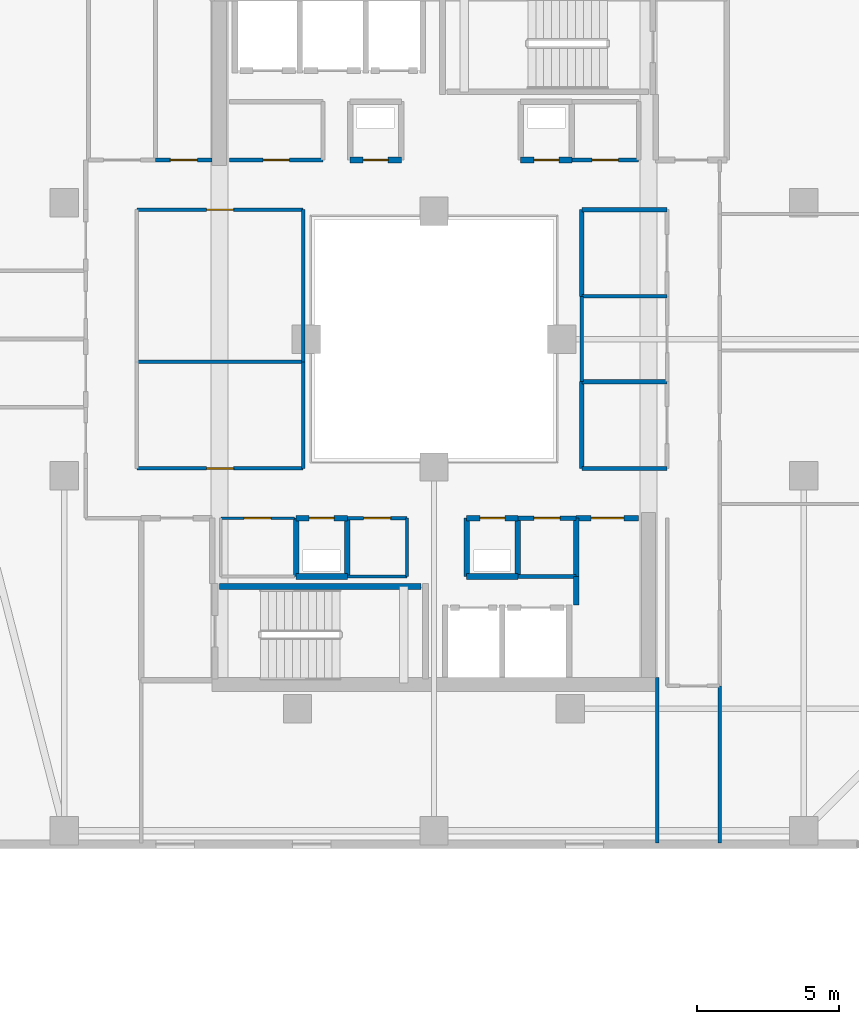
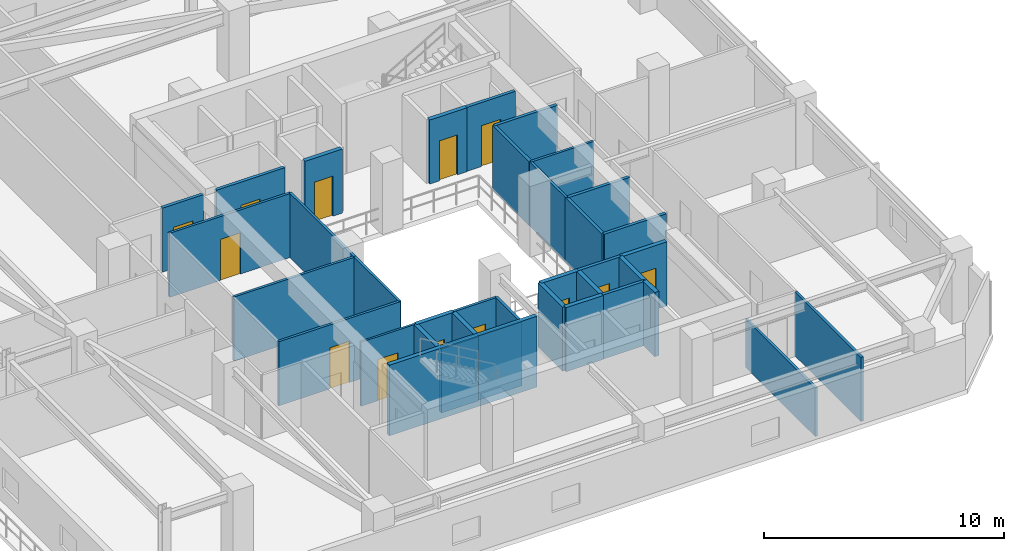
# One storey, part 20 of 33: 37 walls, 13 doors, 13 openings.
"""IFC4 building model written with IfcOpenShell, lengths in metres."""

from ifc_helpers import new_model, si_unit, direction, frame, frame_2d, origin, place, context, subcontext, project, spatial, rectangle, extrude, material, layer, layer_set, type_object, element, fill, save


model = new_model("IFC4")

# Units and contexts
model_context = context("Model", 3, precision=1e-05, world=origin(), true_north=direction((0.0, 1.0)))
body_context = subcontext(model_context, "Body", "Model", "MODEL_VIEW")
ifc_project = project(units=[si_unit("LENGTHUNIT", "METRE"), si_unit("AREAUNIT", "SQUARE_METRE"), si_unit("VOLUMEUNIT", "CUBIC_METRE"), si_unit("PLANEANGLEUNIT", "RADIAN"), si_unit("MASSUNIT", "GRAM", prefix="KILO")], contexts=[model_context])

# Site, building, storey
site_placement = place(None, origin())
site = spatial("IfcSite", under=ifc_project, at=site_placement, CompositionType="ELEMENT")
building_placement = place(site_placement, origin())
building = spatial("IfcBuilding", under=site, at=building_placement, Name="Thornwick Lancets Civic Towers", CompositionType="ELEMENT")
storey_placement = place(building_placement, frame((0.0, 0.0, 218.10009765625)))
storey = spatial("IfcBuildingStorey", under=building, at=storey_placement, Name="L58", CompositionType="ELEMENT", Elevation=218.10009765625)

# Walls
ifc_material_1 = material(Name="Concrete blockwork C40/50", Category="masonry")
ifc_layer_1 = layer(ifc_material_1, 0.199951171875, Name="Concrete blockwork C40/50")
ifc_layer_set_1 = layer_set([ifc_layer_1], Name="Concrete blockwork C40/50")
wall_type_1 = type_object("IfcWallType", Name="WALL_COMP_200", PredefinedType="STANDARD", material=ifc_layer_set_1)
wall_1_placement = place(storey_placement, frame((26.64990234375, 18.64990234375, 0.0), z_axis=(0.0, 0.0, 1.0), x_axis=(1.0, 0.0, 0.0)))
element("IfcWall", 1, at=wall_1_placement, inside=storey, type_object=wall_type_1, Name="L58 Partition L58-A-DUCT1 E1", PredefinedType="STANDARD", context=body_context, shape_type="SweptSolid", body=[
    extrude(rectangle(XDim=1.800048828125, YDim=0.199951171875, at=frame_2d((0.89990234375, 0.0))), origin(), (0.0, 0.0, 1.0), 3.260009765625),
])
wall_2_placement = place(storey_placement, frame((28.449951171875, 18.64990234375, 0.0), z_axis=(0.0, 0.0, 1.0), x_axis=(0.0, 1.0, 0.0)))
element("IfcWall", 2, at=wall_2_placement, inside=storey, type_object=wall_type_1, Name="L58 Partition L58-A-DUCT1 E2", PredefinedType="STANDARD", context=body_context, shape_type="SweptSolid", body=[
    extrude(rectangle(XDim=2.050048828125, YDim=0.199951171875, at=frame_2d((1.02490234375, 0.0))), origin(), (0.0, 0.0, 1.0), 3.260009765625),
])

# Wall, opening, door
wall_3_placement = place(storey_placement, frame((28.449951171875, 20.699951171875, 0.0), z_axis=(0.0, 0.0, 1.0), x_axis=(-1.0, 0.0, 0.0)))
wall_3 = element("IfcWall", 3, at=wall_3_placement, inside=storey, type_object=wall_type_1, Name="L58 Partition L58-A-DUCT1 E3", PredefinedType="STANDARD", context=body_context, shape_type="SweptSolid", body=[
    extrude(rectangle(XDim=1.800048828125, YDim=0.199951171875, at=frame_2d((0.89990234375, 0.0))), origin(), (0.0, 0.0, 1.0), 3.260009765625),
])
opening_1_placement = place(wall_3_placement, frame((0.4599609375, 0.0, 0.0)))
opening_1 = element("IfcOpeningElement", 4, at=opening_1_placement, cuts=wall_3, Name="Opening D-L58-2581", PredefinedType="OPENING", context=body_context, shape_type="SweptSolid", body=[
    extrude(rectangle(XDim=0.8798828125, YDim=2.0400390625, at=frame_2d((0.43994140625, 1.02001953125))), frame((0.0, 0.10986328125, 0.0), z_axis=(0.0, -1.0, 0.0), x_axis=(1.0, 0.0, 0.0)), (0.0, 0.0, 1.0), 0.219970703125),
])
ifc_material_2 = material(Name="Steel riser access doorset", Category="steel")
door_type_1 = type_object("IfcDoorType", Name="DOOR_RISER_850", OperationType="NOTDEFINED", PredefinedType="DOOR", material=ifc_material_2)
door_1_placement = place(opening_1_placement, origin())
door_1 = element("IfcDoor", 5, at=door_1_placement, inside=storey, type_object=door_type_1, Name="L58 South Service Duct 1 Door", OperationType="SINGLE_SWING_RIGHT", OverallHeight=2.0400390625, OverallWidth=0.8798828125, PredefinedType="DOOR", context=body_context, shape_type="SweptSolid", body=[
    extrude(rectangle(XDim=0.8798828125, YDim=2.0400390625, at=frame_2d((0.43994140625, 1.02001953125))), frame((0.0, 0.02490234375, 0.0), z_axis=(0.0, -1.0, 0.0), x_axis=(1.0, 0.0, 0.0)), (0.0, 0.0, 1.0), 0.050048828125),
])
fill(opening_1, door_1)

# Walls
wall_4_placement = place(storey_placement, frame((26.64990234375, 20.699951171875, 0.0), z_axis=(0.0, 0.0, 1.0), x_axis=(0.0, -1.0, 0.0)))
element("IfcWall", 6, at=wall_4_placement, inside=storey, type_object=wall_type_1, Name="L58 Partition L58-A-DUCT1 E4", PredefinedType="STANDARD", context=body_context, shape_type="SweptSolid", body=[
    extrude(rectangle(XDim=2.050048828125, YDim=0.199951171875, at=frame_2d((1.02490234375, 0.0))), origin(), (0.0, 0.0, 1.0), 3.260009765625),
])
wall_5_placement = place(storey_placement, frame((20.64990234375, 18.64990234375, 0.0), z_axis=(0.0, 0.0, 1.0), x_axis=(1.0, 0.0, 0.0)))
element("IfcWall", 7, at=wall_5_placement, inside=storey, type_object=wall_type_1, Name="L58 Partition L58-A-RISER1 E1", PredefinedType="STANDARD", context=body_context, shape_type="SweptSolid", body=[
    extrude(rectangle(XDim=1.800048828125, YDim=0.199951171875, at=frame_2d((0.89990234375, 0.0))), origin(), (0.0, 0.0, 1.0), 3.260009765625),
])
wall_6_placement = place(storey_placement, frame((22.449951171875, 18.64990234375, 0.0), z_axis=(0.0, 0.0, 1.0), x_axis=(0.0, 1.0, 0.0)))
element("IfcWall", 8, at=wall_6_placement, inside=storey, type_object=wall_type_1, Name="L58 Partition L58-A-RISER1 E2", PredefinedType="STANDARD", context=body_context, shape_type="SweptSolid", body=[
    extrude(rectangle(XDim=2.050048828125, YDim=0.199951171875, at=frame_2d((1.02490234375, 0.0))), origin(), (0.0, 0.0, 1.0), 3.260009765625),
])

# Wall, opening, door
wall_7_placement = place(storey_placement, frame((22.449951171875, 20.699951171875, 0.0), z_axis=(0.0, 0.0, 1.0), x_axis=(-1.0, 0.0, 0.0)))
wall_7 = element("IfcWall", 9, at=wall_7_placement, inside=storey, type_object=wall_type_1, Name="L58 Partition L58-A-RISER1 E3", PredefinedType="STANDARD", context=body_context, shape_type="SweptSolid", body=[
    extrude(rectangle(XDim=1.800048828125, YDim=0.199951171875, at=frame_2d((0.89990234375, 0.0))), origin(), (0.0, 0.0, 1.0), 3.260009765625),
])
opening_2_placement = place(wall_7_placement, frame((0.4599609375, 0.0, 0.0)))
opening_2 = element("IfcOpeningElement", 10, at=opening_2_placement, cuts=wall_7, Name="Opening D-L58-2582", PredefinedType="OPENING", context=body_context, shape_type="SweptSolid", body=[
    extrude(rectangle(XDim=0.8798828125, YDim=2.0400390625, at=frame_2d((0.43994140625, 1.02001953125))), frame((0.0, 0.10986328125, 0.0), z_axis=(0.0, -1.0, 0.0), x_axis=(1.0, 0.0, 0.0)), (0.0, 0.0, 1.0), 0.219970703125),
])
door_2_placement = place(opening_2_placement, origin())
door_2 = element("IfcDoor", 11, at=door_2_placement, inside=storey, type_object=door_type_1, Name="L58 South Electrical Riser 1 Door", OperationType="SINGLE_SWING_LEFT", OverallHeight=2.0400390625, OverallWidth=0.8798828125, PredefinedType="DOOR", context=body_context, shape_type="SweptSolid", body=[
    extrude(rectangle(XDim=0.8798828125, YDim=2.0400390625, at=frame_2d((0.43994140625, 1.02001953125))), frame((0.0, 0.02490234375, 0.0), z_axis=(0.0, -1.0, 0.0), x_axis=(1.0, 0.0, 0.0)), (0.0, 0.0, 1.0), 0.050048828125),
])
fill(opening_2, door_2)

# Wall
wall_8_placement = place(storey_placement, frame((20.64990234375, 20.699951171875, 0.0), z_axis=(0.0, 0.0, 1.0), x_axis=(0.0, -1.0, 0.0)))
element("IfcWall", 12, at=wall_8_placement, inside=storey, type_object=wall_type_1, Name="L58 Partition L58-A-RISER1 E4", PredefinedType="STANDARD", context=body_context, shape_type="SweptSolid", body=[
    extrude(rectangle(XDim=2.050048828125, YDim=0.199951171875, at=frame_2d((1.02490234375, 0.0))), origin(), (0.0, 0.0, 1.0), 3.260009765625),
])

# Wall, opening, door
wall_9_placement = place(storey_placement, frame((22.550048828125, 33.300048828125, 0.0), z_axis=(0.0, 0.0, 1.0), x_axis=(1.0, 0.0, 0.0)))
wall_9 = element("IfcWall", 13, at=wall_9_placement, inside=storey, type_object=wall_type_1, Name="L58 Partition L58-A-DUCT2 E1", PredefinedType="STANDARD", context=body_context, shape_type="SweptSolid", body=[
    extrude(rectangle(XDim=1.800048828125, YDim=0.199951171875, at=frame_2d((0.89990234375, 0.0))), origin(), (0.0, 0.0, 1.0), 3.260009765625),
])
opening_3_placement = place(wall_9_placement, frame((0.4599609375, 0.0, 0.0)))
opening_3 = element("IfcOpeningElement", 14, at=opening_3_placement, cuts=wall_9, Name="Opening D-L58-2583", PredefinedType="OPENING", context=body_context, shape_type="SweptSolid", body=[
    extrude(rectangle(XDim=0.8798828125, YDim=2.0400390625, at=frame_2d((0.43994140625, 1.02001953125))), frame((0.0, 0.10986328125, 0.0), z_axis=(0.0, -1.0, 0.0), x_axis=(1.0, 0.0, 0.0)), (0.0, 0.0, 1.0), 0.219970703125),
])
door_3_placement = place(opening_3_placement, origin())
door_3 = element("IfcDoor", 15, at=door_3_placement, inside=storey, type_object=door_type_1, Name="L58 North Service Duct 2 Door", OperationType="SINGLE_SWING_RIGHT", OverallHeight=2.0400390625, OverallWidth=0.8798828125, PredefinedType="DOOR", context=body_context, shape_type="SweptSolid", body=[
    extrude(rectangle(XDim=0.8798828125, YDim=2.0400390625, at=frame_2d((0.43994140625, 1.02001953125))), frame((0.0, 0.02490234375, 0.0), z_axis=(0.0, -1.0, 0.0), x_axis=(1.0, 0.0, 0.0)), (0.0, 0.0, 1.0), 0.050048828125),
])
fill(opening_3, door_3)

wall_10_placement = place(storey_placement, frame((28.550048828125, 33.300048828125, 0.0), z_axis=(0.0, 0.0, 1.0), x_axis=(1.0, 0.0, 0.0)))
wall_10 = element("IfcWall", 16, at=wall_10_placement, inside=storey, type_object=wall_type_1, Name="L58 Partition L58-A-RISER2 E1", PredefinedType="STANDARD", context=body_context, shape_type="SweptSolid", body=[
    extrude(rectangle(XDim=1.800048828125, YDim=0.199951171875, at=frame_2d((0.89990234375, 0.0))), origin(), (0.0, 0.0, 1.0), 3.260009765625),
])
opening_4_placement = place(wall_10_placement, frame((0.4599609375, 0.0, 0.0)))
opening_4 = element("IfcOpeningElement", 17, at=opening_4_placement, cuts=wall_10, Name="Opening D-L58-2584", PredefinedType="OPENING", context=body_context, shape_type="SweptSolid", body=[
    extrude(rectangle(XDim=0.8798828125, YDim=2.0400390625, at=frame_2d((0.43994140625, 1.02001953125))), frame((0.0, 0.10986328125, 0.0), z_axis=(0.0, -1.0, 0.0), x_axis=(1.0, 0.0, 0.0)), (0.0, 0.0, 1.0), 0.219970703125),
])
door_4_placement = place(opening_4_placement, origin())
door_4 = element("IfcDoor", 18, at=door_4_placement, inside=storey, type_object=door_type_1, Name="L58 North Service Riser 2 Door", OperationType="SINGLE_SWING_LEFT", OverallHeight=2.0400390625, OverallWidth=0.8798828125, PredefinedType="DOOR", context=body_context, shape_type="SweptSolid", body=[
    extrude(rectangle(XDim=0.8798828125, YDim=2.0400390625, at=frame_2d((0.43994140625, 1.02001953125))), frame((0.0, 0.02490234375, 0.0), z_axis=(0.0, -1.0, 0.0), x_axis=(1.0, 0.0, 0.0)), (0.0, 0.0, 1.0), 0.050048828125),
])
fill(opening_4, door_4)

# Walls
wall_11_placement = place(storey_placement, frame((30.5, 17.64794921875, 0.0), z_axis=(0.0, 0.0, 1.0), x_axis=(0.0, 1.0, 0.0)))
element("IfcWall", 19, at=wall_11_placement, inside=storey, type_object=wall_type_1, Name="L58 Partition L58-A-STR2 E3", PredefinedType="STANDARD", context=body_context, shape_type="SweptSolid", body=[
    extrude(rectangle(XDim=1.001953125, YDim=0.199951171875, at=frame_2d((0.5009765625, 0.0))), origin(), (0.0, 0.0, 1.0), 3.260009765625),
])
wall_12_placement = place(storey_placement, frame((30.5, 18.64990234375, 0.0), z_axis=(0.0, 0.0, 1.0), x_axis=(0.0, 1.0, 0.0)))
element("IfcWall", 20, at=wall_12_placement, inside=storey, type_object=wall_type_1, Name="L58 Partition L58-A-STR2 E4", PredefinedType="STANDARD", context=body_context, shape_type="SweptSolid", body=[
    extrude(rectangle(XDim=2.050048828125, YDim=0.199951171875, at=frame_2d((1.02490234375, 0.0))), origin(), (0.0, 0.0, 1.0), 3.260009765625),
])

# Wall, opening, door
wall_13_placement = place(storey_placement, frame((30.5, 20.699951171875, 0.0), z_axis=(0.0, 0.0, 1.0), x_axis=(1.0, 0.0, 0.0)))
wall_13 = element("IfcWall", 21, at=wall_13_placement, inside=storey, type_object=wall_type_1, Name="L58 Partition L58-A-STR2 E5", PredefinedType="STANDARD", context=body_context, shape_type="SweptSolid", body=[
    extrude(rectangle(XDim=2.199951171875, YDim=0.199951171875, at=frame_2d((1.10009765625, 0.0))), origin(), (0.0, 0.0, 1.0), 3.260009765625),
])
opening_5_placement = place(wall_13_placement, frame((0.52490234375, 0.0, 0.0)))
opening_5 = element("IfcOpeningElement", 22, at=opening_5_placement, cuts=wall_13, Name="Opening D-L58-2588", PredefinedType="OPENING", context=body_context, shape_type="SweptSolid", body=[
    extrude(rectangle(XDim=1.14990234375, YDim=2.10009765625, at=frame_2d((0.574951171875, 1.050048828125))), frame((0.0, 0.10986328125, 0.0), z_axis=(0.0, -1.0, 0.0), x_axis=(1.0, 0.0, 0.0)), (0.0, 0.0, 1.0), 0.219970703125),
])
ifc_material_3 = material(Name="Glazed fire-resisting steel", Category="steel")
door_type_2 = type_object("IfcDoorType", Name="DOOR_LOBBY_FD60", OperationType="NOTDEFINED", PredefinedType="DOOR", material=ifc_material_3)
door_5_placement = place(opening_5_placement, origin())
door_5 = element("IfcDoor", 23, at=door_5_placement, inside=storey, type_object=door_type_2, Name="L58 Tower A Core Supplies Store Door", OperationType="SINGLE_SWING_LEFT", OverallHeight=2.10009765625, OverallWidth=1.14990234375, PredefinedType="DOOR", context=body_context, shape_type="SweptSolid", body=[
    extrude(rectangle(XDim=1.14990234375, YDim=2.10009765625, at=frame_2d((0.574951171875, 1.050048828125))), frame((0.0, 0.02490234375, 0.0), z_axis=(0.0, -1.0, 0.0), x_axis=(1.0, 0.0, 0.0)), (0.0, 0.0, 1.0), 0.050048828125),
])
fill(opening_5, door_5)

ifc_material_4 = material(Name="Lightweight cellular office partition")
ifc_layer_2 = layer(ifc_material_4, 0.10009765625, Name="Lightweight cellular office partition")
ifc_layer_set_2 = layer_set([ifc_layer_2], Name="Lightweight cellular office partition")
wall_type_2 = type_object("IfcWallType", Name="WALL_PART_100", PredefinedType="PARTITIONING", material=ifc_layer_set_2)
wall_14_placement = place(storey_placement, frame((20.60009765625, 20.699951171875, 0.0), z_axis=(0.0, 0.0, 1.0), x_axis=(-1.0, 0.0, 0.0)))
wall_14 = element("IfcWall", 24, at=wall_14_placement, inside=storey, type_object=wall_type_2, Name="L58 Partition L58-A-CLN E3", PredefinedType="PARTITIONING", context=body_context, shape_type="SweptSolid", body=[
    extrude(rectangle(XDim=2.60009765625, YDim=0.10009765625, at=frame_2d((1.300048828125, 0.0))), origin(), (0.0, 0.0, 1.0), 3.260009765625),
])
opening_6_placement = place(wall_14_placement, frame((0.824951171875, 0.0, 0.0)))
opening_6 = element("IfcOpeningElement", 25, at=opening_6_placement, cuts=wall_14, Name="Opening D-L58-2585", PredefinedType="OPENING", context=body_context, shape_type="SweptSolid", body=[
    extrude(rectangle(XDim=0.949951171875, YDim=2.10009765625, at=frame_2d((0.47509765625, 1.050048828125))), frame((0.0, 0.06005859375, 0.0), z_axis=(0.0, -1.0, 0.0), x_axis=(1.0, 0.0, 0.0)), (0.0, 0.0, 1.0), 0.1201171875),
])
ifc_material_5 = material(Name="European oak acoustic doorset")
door_type_3 = type_object("IfcDoorType", Name="DOOR_OFFICE_950", OperationType="NOTDEFINED", PredefinedType="DOOR", material=ifc_material_5)
door_6_placement = place(opening_6_placement, origin())
door_6 = element("IfcDoor", 26, at=door_6_placement, inside=storey, type_object=door_type_3, Name="L58 Tower A Cleaners Store Door", OperationType="SINGLE_SWING_RIGHT", OverallHeight=2.10009765625, OverallWidth=0.949951171875, PredefinedType="DOOR", context=body_context, shape_type="SweptSolid", body=[
    extrude(rectangle(XDim=0.949951171875, YDim=2.10009765625, at=frame_2d((0.47509765625, 1.050048828125))), frame((0.0, 0.02490234375, 0.0), z_axis=(0.0, -1.0, 0.0), x_axis=(1.0, 0.0, 0.0)), (0.0, 0.0, 1.0), 0.050048828125),
])
fill(opening_6, door_6)

# Walls
ifc_material_6 = material(Name="Acoustic gypsum board partition")
ifc_layer_3 = layer(ifc_material_6, 0.1201171875, Name="Acoustic gypsum board partition")
ifc_layer_set_3 = layer_set([ifc_layer_3], Name="Acoustic gypsum board partition")
wall_type_3 = type_object("IfcWallType", Name="WALL_PART_120", PredefinedType="PARTITIONING", material=ifc_layer_set_3)
wall_15_placement = place(storey_placement, frame((24.550048828125, 20.699951171875, 0.0), z_axis=(0.0, 0.0, 1.0), x_axis=(0.0, -1.0, 0.0)))
element("IfcWall", 27, at=wall_15_placement, inside=storey, type_object=wall_type_3, Name="L58 Partition L58-A-ITR E1", PredefinedType="PARTITIONING", context=body_context, shape_type="SweptSolid", body=[
    extrude(rectangle(XDim=2.050048828125, YDim=0.1201171875, at=frame_2d((1.02490234375, 0.0))), origin(), (0.0, 0.0, 1.0), 3.260009765625),
])
wall_16_placement = place(storey_placement, frame((24.550048828125, 18.64990234375, 0.0), z_axis=(0.0, 0.0, 1.0), x_axis=(-1.0, 0.0, 0.0)))
element("IfcWall", 28, at=wall_16_placement, inside=storey, type_object=wall_type_3, Name="L58 Partition L58-A-ITR E2", PredefinedType="PARTITIONING", context=body_context, shape_type="SweptSolid", body=[
    extrude(rectangle(XDim=2.10009765625, YDim=0.1201171875, at=frame_2d((1.050048828125, 0.0))), origin(), (0.0, 0.0, 1.0), 3.260009765625),
])

# Wall, opening, door
wall_17_placement = place(storey_placement, frame((22.449951171875, 20.699951171875, 0.0), z_axis=(0.0, 0.0, 1.0), x_axis=(1.0, 0.0, 0.0)))
wall_17 = element("IfcWall", 29, at=wall_17_placement, inside=storey, type_object=wall_type_3, Name="L58 Partition L58-A-ITR E4", PredefinedType="PARTITIONING", context=body_context, shape_type="SweptSolid", body=[
    extrude(rectangle(XDim=2.10009765625, YDim=0.1201171875, at=frame_2d((1.050048828125, 0.0))), origin(), (0.0, 0.0, 1.0), 3.260009765625),
])
opening_7_placement = place(wall_17_placement, frame((0.574951171875, 0.0, 0.0)))
opening_7 = element("IfcOpeningElement", 30, at=opening_7_placement, cuts=wall_17, Name="Opening D-L58-2586", PredefinedType="OPENING", context=body_context, shape_type="SweptSolid", body=[
    extrude(rectangle(XDim=0.949951171875, YDim=2.10009765625, at=frame_2d((0.47509765625, 1.050048828125))), frame((0.0, 0.070068359375, 0.0), z_axis=(0.0, -1.0, 0.0), x_axis=(1.0, 0.0, 0.0)), (0.0, 0.0, 1.0), 0.14013671875),
])
door_7_placement = place(opening_7_placement, origin())
door_7 = element("IfcDoor", 31, at=door_7_placement, inside=storey, type_object=door_type_3, Name="L58 Tower A Comms Patch Room Door", OperationType="SINGLE_SWING_LEFT", OverallHeight=2.10009765625, OverallWidth=0.949951171875, PredefinedType="DOOR", context=body_context, shape_type="SweptSolid", body=[
    extrude(rectangle(XDim=0.949951171875, YDim=2.10009765625, at=frame_2d((0.47509765625, 1.050048828125))), frame((0.0, 0.02490234375, 0.0), z_axis=(0.0, -1.0, 0.0), x_axis=(1.0, 0.0, 0.0)), (0.0, 0.0, 1.0), 0.050048828125),
])
fill(opening_7, door_7)

# Walls
wall_18_placement = place(storey_placement, frame((35.550048828125, 14.800048828125, 0.0), z_axis=(0.0, 0.0, 1.0), x_axis=(0.0, -1.0, 0.0)))
element("IfcWall", 32, at=wall_18_placement, inside=storey, type_object=wall_type_3, Name="L58 Partition L58-A-RECLAIM-L E4", PredefinedType="PARTITIONING", context=body_context, shape_type="SweptSolid", body=[
    extrude(rectangle(XDim=5.52001953125, YDim=0.1201171875, at=frame_2d((2.760009765625, 0.0))), origin(), (0.0, 0.0, 1.0), 3.260009765625),
])
wall_19_placement = place(storey_placement, frame((33.35009765625, 9.280029296875, 0.0), z_axis=(0.0, 0.0, 1.0), x_axis=(0.0, 1.0, 0.0)))
element("IfcWall", 33, at=wall_19_placement, inside=storey, type_object=wall_type_3, Name="L58 Partition L58-A-RECLAIM-L E6", PredefinedType="PARTITIONING", context=body_context, shape_type="SweptSolid", body=[
    extrude(rectangle(XDim=5.820068359375, YDim=0.1201171875, at=frame_2d((2.91015625, 0.0))), origin(), (0.0, 0.0, 1.0), 2.46484375),
])
wall_20_placement = place(storey_placement, frame((15.050048828125, 26.199951171875, 0.0), z_axis=(0.0, 0.0, 1.0), x_axis=(1.0, 0.0, 0.0)))
element("IfcWall", 34, at=wall_20_placement, inside=storey, type_object=wall_type_3, Name="L58 Partition L58-A-W3 E2", PredefinedType="PARTITIONING", context=body_context, shape_type="SweptSolid", body=[
    extrude(rectangle(XDim=5.849853515625, YDim=0.1201171875, at=frame_2d((2.9248046875, 0.0))), origin(), (0.0, 0.0, 1.0), 3.260009765625),
])
wall_21_placement = place(storey_placement, frame((20.89990234375, 26.199951171875, 0.0), z_axis=(0.0, 0.0, 1.0), x_axis=(0.0, -1.0, 0.0)))
element("IfcWall", 35, at=wall_21_placement, inside=storey, type_object=wall_type_3, Name="L58 Partition L58-A-W3 E3", PredefinedType="PARTITIONING", context=body_context, shape_type="SweptSolid", body=[
    extrude(rectangle(XDim=3.75, YDim=0.1201171875, at=frame_2d((1.875, 0.0))), origin(), (0.0, 0.0, 1.0), 3.260009765625),
])

# Wall, opening, door
wall_22_placement = place(storey_placement, frame((20.89990234375, 22.449951171875, 0.0), z_axis=(0.0, 0.0, 1.0), x_axis=(-1.0, 0.0, 0.0)))
wall_22 = element("IfcWall", 36, at=wall_22_placement, inside=storey, type_object=wall_type_3, Name="L58 Partition L58-A-W3 E4", PredefinedType="PARTITIONING", context=body_context, shape_type="SweptSolid", body=[
    extrude(rectangle(XDim=5.849853515625, YDim=0.1201171875, at=frame_2d((2.9248046875, 0.0))), origin(), (0.0, 0.0, 1.0), 3.260009765625),
])
opening_8_placement = place(wall_22_placement, frame((2.449951171875, 0.0, 0.0)))
opening_8 = element("IfcOpeningElement", 37, at=opening_8_placement, cuts=wall_22, Name="Opening D-L58-2610", PredefinedType="OPENING", context=body_context, shape_type="SweptSolid", body=[
    extrude(rectangle(XDim=0.949951171875, YDim=2.10009765625, at=frame_2d((0.47509765625, 1.050048828125))), frame((0.0, 0.070068359375, 0.0), z_axis=(0.0, -1.0, 0.0), x_axis=(1.0, 0.0, 0.0)), (0.0, 0.0, 1.0), 0.14013671875),
])
door_8_placement = place(opening_8_placement, origin())
door_8 = element("IfcDoor", 38, at=door_8_placement, inside=storey, type_object=door_type_3, Name="L58 Tower A Staff Tea Pantry and Lounge Door", OperationType="SINGLE_SWING_LEFT", OverallHeight=2.10009765625, OverallWidth=0.949951171875, PredefinedType="DOOR", context=body_context, shape_type="SweptSolid", body=[
    extrude(rectangle(XDim=0.949951171875, YDim=2.10009765625, at=frame_2d((0.47509765625, 1.050048828125))), frame((0.0, 0.02490234375, 0.0), z_axis=(0.0, -1.0, 0.0), x_axis=(1.0, 0.0, 0.0)), (0.0, 0.0, 1.0), 0.050048828125),
])
fill(opening_8, door_8)

wall_23_placement = place(storey_placement, frame((15.050048828125, 31.550048828125, 0.0), z_axis=(0.0, 0.0, 1.0), x_axis=(1.0, 0.0, 0.0)))
wall_23 = element("IfcWall", 39, at=wall_23_placement, inside=storey, type_object=wall_type_3, Name="L58 Partition L58-A-W4 E2", PredefinedType="PARTITIONING", context=body_context, shape_type="SweptSolid", body=[
    extrude(rectangle(XDim=5.849853515625, YDim=0.1201171875, at=frame_2d((2.9248046875, 0.0))), origin(), (0.0, 0.0, 1.0), 3.260009765625),
])
opening_9_placement = place(wall_23_placement, frame((2.449951171875, 0.0, 0.0)))
opening_9 = element("IfcOpeningElement", 40, at=opening_9_placement, cuts=wall_23, Name="Opening D-L58-2611", PredefinedType="OPENING", context=body_context, shape_type="SweptSolid", body=[
    extrude(rectangle(XDim=0.949951171875, YDim=2.10009765625, at=frame_2d((0.47509765625, 1.050048828125))), frame((0.0, 0.070068359375, 0.0), z_axis=(0.0, -1.0, 0.0), x_axis=(1.0, 0.0, 0.0)), (0.0, 0.0, 1.0), 0.14013671875),
])
door_9_placement = place(opening_9_placement, origin())
door_9 = element("IfcDoor", 41, at=door_9_placement, inside=storey, type_object=door_type_3, Name="L58 Tower A Statutory Research Library W4 Door", OperationType="SINGLE_SWING_RIGHT", OverallHeight=2.10009765625, OverallWidth=0.949951171875, PredefinedType="DOOR", context=body_context, shape_type="SweptSolid", body=[
    extrude(rectangle(XDim=0.949951171875, YDim=2.10009765625, at=frame_2d((0.47509765625, 1.050048828125))), frame((0.0, 0.02490234375, 0.0), z_axis=(0.0, -1.0, 0.0), x_axis=(1.0, 0.0, 0.0)), (0.0, 0.0, 1.0), 0.050048828125),
])
fill(opening_9, door_9)

# Walls
wall_24_placement = place(storey_placement, frame((20.89990234375, 31.550048828125, 0.0), z_axis=(0.0, 0.0, 1.0), x_axis=(0.0, -1.0, 0.0)))
element("IfcWall", 42, at=wall_24_placement, inside=storey, type_object=wall_type_3, Name="L58 Partition L58-A-W4 E3", PredefinedType="PARTITIONING", context=body_context, shape_type="SweptSolid", body=[
    extrude(rectangle(XDim=5.35009765625, YDim=0.1201171875, at=frame_2d((2.675048828125, 0.0))), origin(), (0.0, 0.0, 1.0), 3.260009765625),
])
for number, where, z_axis, x_axis, name in (
    (43, (30.699951171875, 25.5, 0.0), (0.0, 0.0, 1.0), (0.0, 1.0, 0.0), "L58 Partition L58-A-E-ATR-2 E1"),
    (44, (30.699951171875, 28.5, 0.0), (0.0, 0.0, 1.0), (1.0, 0.0, 0.0), "L58 Partition L58-A-E-ATR-2 E2"),
):
    element("IfcWall", number, at=place(storey_placement, frame(where, z_axis=z_axis, x_axis=x_axis)), inside=storey, type_object=wall_type_3, Name=name, PredefinedType="PARTITIONING", context=body_context, shape_type="SweptSolid", body=[
        extrude(rectangle(XDim=3.0, YDim=0.1201171875, at=frame_2d((1.5, 0.0))), origin(), (0.0, 0.0, 1.0), 3.260009765625),
    ])
ifc_material_7 = material(Name="Twin-stud acoustic gypsum board")
ifc_layer_4 = layer(ifc_material_7, 0.14990234375, Name="Twin-stud acoustic gypsum board")
ifc_layer_set_4 = layer_set([ifc_layer_4], Name="Twin-stud acoustic gypsum board")
wall_type_4 = type_object("IfcWallType", Name="WALL_PART_150", PredefinedType="PARTITIONING", material=ifc_layer_set_4)
wall_25_placement = place(storey_placement, frame((30.5, 18.64990234375, 0.0), z_axis=(0.0, 0.0, 1.0), x_axis=(-1.0, 0.0, 0.0)))
element("IfcWall", 45, at=wall_25_placement, inside=storey, type_object=wall_type_4, Name="L58 Partition L58-A-AWC E2", PredefinedType="PARTITIONING", context=body_context, shape_type="SweptSolid", body=[
    extrude(rectangle(XDim=2.050048828125, YDim=0.14990234375, at=frame_2d((1.02490234375, 0.0))), origin(), (0.0, 0.0, 1.0), 3.260009765625),
])

# Wall, opening, door
wall_26_placement = place(storey_placement, frame((28.449951171875, 20.699951171875, 0.0), z_axis=(0.0, 0.0, 1.0), x_axis=(1.0, 0.0, 0.0)))
wall_26 = element("IfcWall", 46, at=wall_26_placement, inside=storey, type_object=wall_type_4, Name="L58 Partition L58-A-AWC E4", PredefinedType="PARTITIONING", context=body_context, shape_type="SweptSolid", body=[
    extrude(rectangle(XDim=2.050048828125, YDim=0.14990234375, at=frame_2d((1.02490234375, 0.0))), origin(), (0.0, 0.0, 1.0), 3.260009765625),
])
opening_10_placement = place(wall_26_placement, frame((0.56494140625, 0.0, 0.0)))
opening_10 = element("IfcOpeningElement", 47, at=opening_10_placement, cuts=wall_26, Name="Opening D-L58-2587", PredefinedType="OPENING", context=body_context, shape_type="SweptSolid", body=[
    extrude(rectangle(XDim=0.919921875, YDim=2.080078125, at=frame_2d((0.4599609375, 1.0400390625))), frame((0.0, 0.0849609375, 0.0), z_axis=(0.0, -1.0, 0.0), x_axis=(1.0, 0.0, 0.0)), (0.0, 0.0, 1.0), 0.169921875),
])
ifc_material_8 = material(Name="Moisture-resistant oak doorset")
door_type_4 = type_object("IfcDoorType", Name="DOOR_WC_900", OperationType="NOTDEFINED", PredefinedType="DOOR", material=ifc_material_8)
door_10_placement = place(opening_10_placement, origin())
door_10 = element("IfcDoor", 48, at=door_10_placement, inside=storey, type_object=door_type_4, Name="L58 Tower A Accessible WC Door", OperationType="SINGLE_SWING_RIGHT", OverallHeight=2.080078125, OverallWidth=0.919921875, PredefinedType="DOOR", context=body_context, shape_type="SweptSolid", body=[
    extrude(rectangle(XDim=0.919921875, YDim=2.080078125, at=frame_2d((0.4599609375, 1.0400390625))), frame((0.0, 0.02490234375, 0.0), z_axis=(0.0, -1.0, 0.0), x_axis=(1.0, 0.0, 0.0)), (0.0, 0.0, 1.0), 0.050048828125),
])
fill(opening_10, door_10)

wall_27_placement = place(storey_placement, frame((18.300048828125, 33.300048828125, 0.0), z_axis=(0.0, 0.0, 1.0), x_axis=(1.0, 0.0, 0.0)))
wall_27 = element("IfcWall", 49, at=wall_27_placement, inside=storey, type_object=wall_type_4, Name="L58 Partition L58-A-MWC E1", PredefinedType="PARTITIONING", context=body_context, shape_type="SweptSolid", body=[
    extrude(rectangle(XDim=3.300048828125, YDim=0.14990234375, at=frame_2d((1.64990234375, 0.0))), origin(), (0.0, 0.0, 1.0), 3.260009765625),
])
opening_11_placement = place(wall_27_placement, frame((1.18994140625, 0.0, 0.0)))
opening_11 = element("IfcOpeningElement", 50, at=opening_11_placement, cuts=wall_27, Name="Opening D-L58-2589", PredefinedType="OPENING", context=body_context, shape_type="SweptSolid", body=[
    extrude(rectangle(XDim=0.919921875, YDim=2.080078125, at=frame_2d((0.4599609375, 1.0400390625))), frame((0.0, 0.0849609375, 0.0), z_axis=(0.0, -1.0, 0.0), x_axis=(1.0, 0.0, 0.0)), (0.0, 0.0, 1.0), 0.169921875),
])
door_11_placement = place(opening_11_placement, origin())
door_11 = element("IfcDoor", 51, at=door_11_placement, inside=storey, type_object=door_type_4, Name="L58 Tower A Male WC Door", OperationType="SINGLE_SWING_RIGHT", OverallHeight=2.080078125, OverallWidth=0.919921875, PredefinedType="DOOR", context=body_context, shape_type="SweptSolid", body=[
    extrude(rectangle(XDim=0.919921875, YDim=2.080078125, at=frame_2d((0.4599609375, 1.0400390625))), frame((0.0, 0.02490234375, 0.0), z_axis=(0.0, -1.0, 0.0), x_axis=(1.0, 0.0, 0.0)), (0.0, 0.0, 1.0), 0.050048828125),
])
fill(opening_11, door_11)

wall_28_placement = place(storey_placement, frame((32.699951171875, 33.300048828125, 0.0), z_axis=(0.0, 0.0, 1.0), x_axis=(-1.0, 0.0, 0.0)))
wall_28 = element("IfcWall", 52, at=wall_28_placement, inside=storey, type_object=wall_type_4, Name="L58 Partition L58-A-FWC E2", PredefinedType="PARTITIONING", context=body_context, shape_type="SweptSolid", body=[
    extrude(rectangle(XDim=2.349853515625, YDim=0.14990234375, at=frame_2d((1.1748046875, 0.0))), origin(), (0.0, 0.0, 1.0), 3.260009765625),
])
opening_12_placement = place(wall_28_placement, frame((0.715087890625, 0.0, 0.0)))
opening_12 = element("IfcOpeningElement", 53, at=opening_12_placement, cuts=wall_28, Name="Opening D-L58-2590", PredefinedType="OPENING", context=body_context, shape_type="SweptSolid", body=[
    extrude(rectangle(XDim=0.919921875, YDim=2.080078125, at=frame_2d((0.4599609375, 1.0400390625))), frame((0.0, 0.0849609375, 0.0), z_axis=(0.0, -1.0, 0.0), x_axis=(1.0, 0.0, 0.0)), (0.0, 0.0, 1.0), 0.169921875),
])
door_12_placement = place(opening_12_placement, origin())
door_12 = element("IfcDoor", 54, at=door_12_placement, inside=storey, type_object=door_type_4, Name="L58 Tower A Female WC Door", OperationType="SINGLE_SWING_LEFT", OverallHeight=2.080078125, OverallWidth=0.919921875, PredefinedType="DOOR", context=body_context, shape_type="SweptSolid", body=[
    extrude(rectangle(XDim=0.919921875, YDim=2.080078125, at=frame_2d((0.4599609375, 1.0400390625))), frame((0.0, 0.02490234375, 0.0), z_axis=(0.0, -1.0, 0.0), x_axis=(1.0, 0.0, 0.0)), (0.0, 0.0, 1.0), 0.050048828125),
])
fill(opening_12, door_12)

wall_29_placement = place(storey_placement, frame((17.699951171875, 33.300048828125, 0.0), z_axis=(0.0, 0.0, 1.0), x_axis=(-1.0, 0.0, 0.0)))
wall_29 = element("IfcWall", 55, at=wall_29_placement, inside=storey, type_object=wall_type_4, Name="L58 Partition L58-A-RECLAIM-M2 E4", PredefinedType="PARTITIONING", context=body_context, shape_type="SweptSolid", body=[
    extrude(rectangle(XDim=2.0, YDim=0.14990234375, at=frame_2d((1.0, 0.0))), origin(), (0.0, 0.0, 1.0), 3.260009765625),
])
opening_13_placement = place(wall_29_placement, frame((0.52490234375, 0.0, 0.0)))
opening_13 = element("IfcOpeningElement", 56, at=opening_13_placement, cuts=wall_29, Name="Opening D-L58-2605", PredefinedType="OPENING", context=body_context, shape_type="SweptSolid", body=[
    extrude(rectangle(XDim=0.949951171875, YDim=2.10009765625, at=frame_2d((0.47509765625, 1.050048828125))), frame((0.0, 0.0849609375, 0.0), z_axis=(0.0, -1.0, 0.0), x_axis=(1.0, 0.0, 0.0)), (0.0, 0.0, 1.0), 0.169921875),
])
door_13_placement = place(opening_13_placement, origin())
door_13 = element("IfcDoor", 57, at=door_13_placement, inside=storey, type_object=door_type_3, Name="L58 Tower A Executive Records Archive Door", OperationType="SINGLE_SWING_RIGHT", OverallHeight=2.10009765625, OverallWidth=0.949951171875, PredefinedType="DOOR", context=body_context, shape_type="SweptSolid", body=[
    extrude(rectangle(XDim=0.949951171875, YDim=2.10009765625, at=frame_2d((0.47509765625, 1.050048828125))), frame((0.0, 0.02490234375, 0.0), z_axis=(0.0, -1.0, 0.0), x_axis=(1.0, 0.0, 0.0)), (0.0, 0.0, 1.0), 0.050048828125),
])
fill(opening_13, door_13)

# Walls
wall_30_placement = place(storey_placement, frame((30.699951171875, 22.449951171875, 0.0), z_axis=(0.0, 0.0, 1.0), x_axis=(0.0, 1.0, 0.0)))
element("IfcWall", 58, at=wall_30_placement, inside=storey, type_object=wall_type_4, Name="L58 Partition L58-A-E-ATR-1 E1", PredefinedType="PARTITIONING", context=body_context, shape_type="SweptSolid", body=[
    extrude(rectangle(XDim=3.050048828125, YDim=0.14990234375, at=frame_2d((1.52490234375, 0.0))), origin(), (0.0, 0.0, 1.0), 3.260009765625),
])
for number, where, z_axis, x_axis, name in (
    (59, (30.699951171875, 25.5, 0.0), (0.0, 0.0, 1.0), (1.0, 0.0, 0.0), "L58 Partition L58-A-E-ATR-1 E2"),
    (60, (33.699951171875, 22.449951171875, 0.0), (0.0, 0.0, 1.0), (-1.0, 0.0, 0.0), "L58 Partition L58-A-E-ATR-1 E4"),
):
    element("IfcWall", number, at=place(storey_placement, frame(where, z_axis=z_axis, x_axis=x_axis)), inside=storey, type_object=wall_type_4, Name=name, PredefinedType="PARTITIONING", context=body_context, shape_type="SweptSolid", body=[
        extrude(rectangle(XDim=3.0, YDim=0.14990234375, at=frame_2d((1.5, 0.0))), origin(), (0.0, 0.0, 1.0), 3.260009765625),
    ])
wall_31_placement = place(storey_placement, frame((30.699951171875, 28.5, 0.0), z_axis=(0.0, 0.0, 1.0), x_axis=(0.0, 1.0, 0.0)))
element("IfcWall", 61, at=wall_31_placement, inside=storey, type_object=wall_type_4, Name="L58 Partition L58-A-E-ATR-3 E1", PredefinedType="PARTITIONING", context=body_context, shape_type="SweptSolid", body=[
    extrude(rectangle(XDim=3.050048828125, YDim=0.14990234375, at=frame_2d((1.52490234375, 0.0))), origin(), (0.0, 0.0, 1.0), 3.260009765625),
])
wall_32_placement = place(storey_placement, frame((30.699951171875, 31.550048828125, 0.0), z_axis=(0.0, 0.0, 1.0), x_axis=(1.0, 0.0, 0.0)))
element("IfcWall", 62, at=wall_32_placement, inside=storey, type_object=wall_type_4, Name="L58 Partition L58-A-E-ATR-3 E2", PredefinedType="PARTITIONING", context=body_context, shape_type="SweptSolid", body=[
    extrude(rectangle(XDim=3.0, YDim=0.14990234375, at=frame_2d((1.5, 0.0))), origin(), (0.0, 0.0, 1.0), 3.260009765625),
])
ifc_material_9 = material(Name="Concrete C40/50", Category="concrete")
ifc_layer_5 = layer(ifc_material_9, 0.199951171875, Name="Concrete C40/50")
ifc_layer_set_5 = layer_set([ifc_layer_5], Name="Concrete C40/50")
wall_type_5 = type_object("IfcWallType", Name="WALL_SHAFT_200", PredefinedType="SHEAR", material=ifc_layer_set_5)
wall_33_placement = place(storey_placement, frame((25.050048828125, 18.297119140625, 0.0), z_axis=(0.0, 0.0, 1.0), x_axis=(-1.0, 0.0, 0.0)))
element("IfcWall", 63, at=wall_33_placement, inside=storey, type_object=wall_type_5, Name="L58 ST-A1 Fire Stair Core Wall RIGHT", PredefinedType="SHEAR", context=body_context, shape_type="SweptSolid", body=[
    extrude(rectangle(XDim=7.10009765625, YDim=0.199951171875, at=frame_2d((3.550048828125, 0.0))), origin(), (0.0, 0.0, 1.0), 3.599853515625),
])

save(model, "model.ifc")
